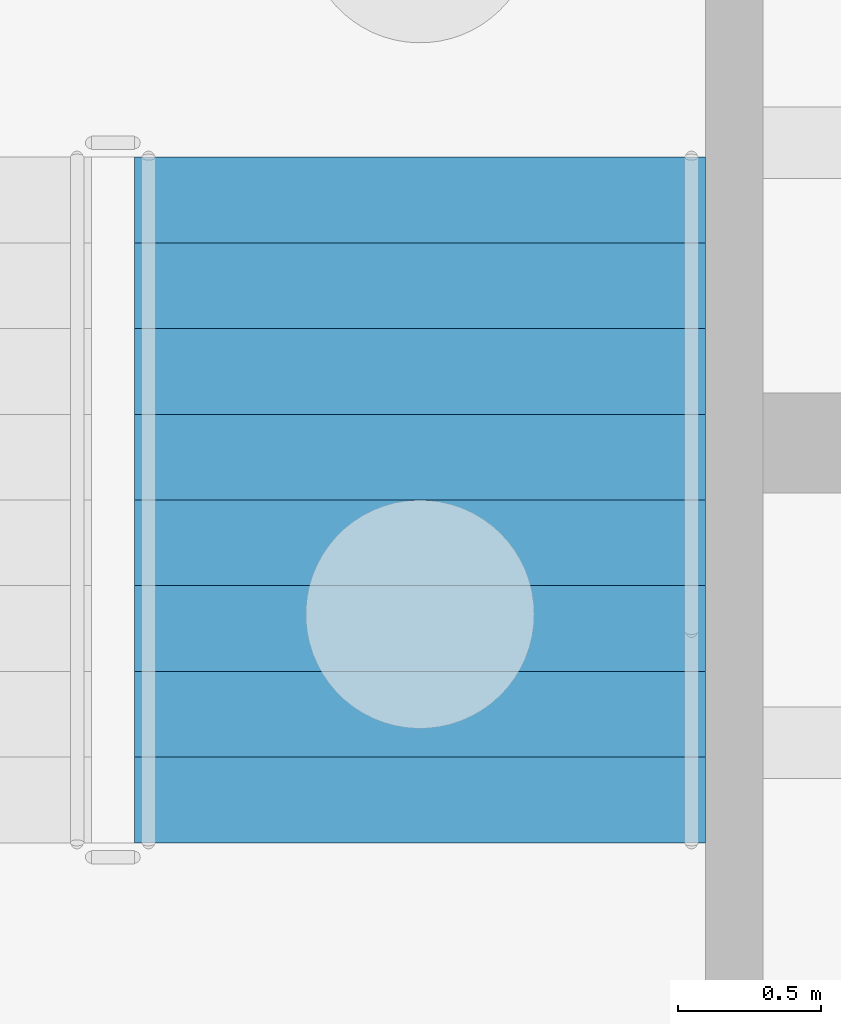
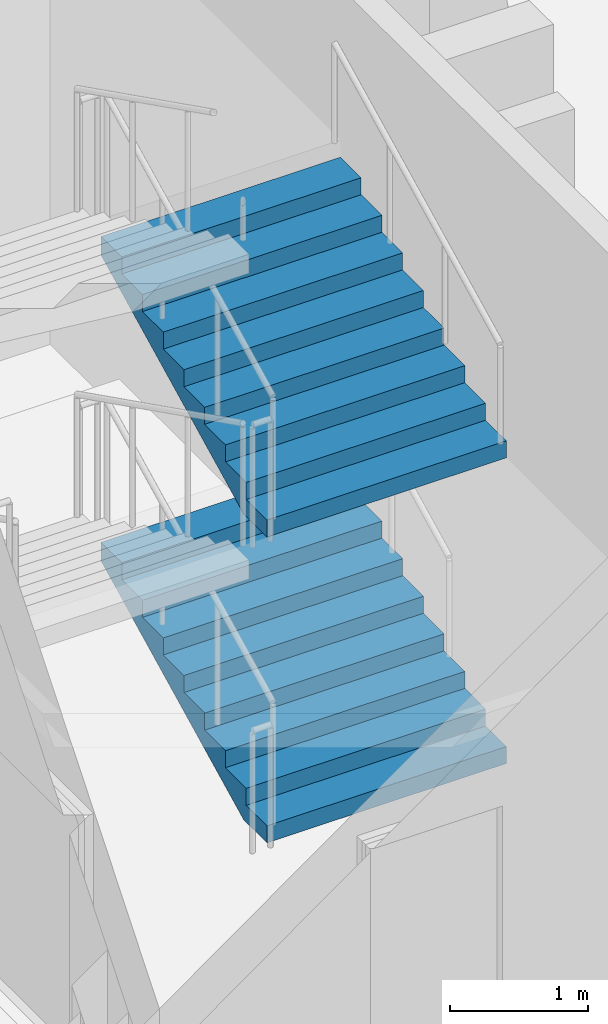
# One storey, part 83 of 129: 2 stair flights, 1 element without a shape of its own.
"""IFC4 building model written with IfcOpenShell, lengths in metres."""

import ifcopenshell
import ifcopenshell.guid

model = None  # the IFC model being written
_history = None  # IfcOwnerHistory: only IFC2X3 demands one
_inside = {}  # id of a spatial element -> (the spatial element, [elements in it])
_under = {}  # id of a project, library or spatial element -> (it, [spatial elements below it])
_declared = {}  # id of a project -> (the project, [libraries it declares])
_typed = {}  # id of a type object -> (the type object, [elements of that type])
_made_of = {}  # id of a material, layer set ... -> (it, [elements and type objects made of it])


def new_model(schema):
    """Start an empty IFC model of exactly this schema.

    Asked for "IFC4X3", IfcOpenShell would pick the latest addendum, in which some entities
    have other attributes; the version numbers below select the first issue.
    IFC2X3 requires an IfcOwnerHistory on every rooted entity: one is made here for all.
    """
    global model, _history
    if schema == "IFC4X3":
        model = ifcopenshell.file(schema_version=(4, 3, 0, 0))
    else:
        model = ifcopenshell.file(schema=schema)
    _inside.clear()
    _under.clear()
    _declared.clear()
    _typed.clear()
    _made_of.clear()
    _history = None
    if model.schema == "IFC2X3":
        org = make("IfcOrganization", Name="unknown")
        user = make(
            "IfcPersonAndOrganization",
            ThePerson=make("IfcPerson", FamilyName="unknown"),
            TheOrganization=org,
        )
        app = make(
            "IfcApplication",
            ApplicationDeveloper=org,
            Version="unknown",
            ApplicationFullName="unknown",
            ApplicationIdentifier="unknown",
        )
        _history = make(
            "IfcOwnerHistory",
            OwningUser=user,
            OwningApplication=app,
            ChangeAction="ADDED",
            CreationDate=0,
        )
    return model


def make(cls, **values):
    """One entity of the class cls with the attributes given. An attribute that is None is left unset."""
    return model.create_entity(
        cls, **{name: value for name, value in values.items() if value is not None}
    )


def rooted(cls, **values):
    """An entity with a GlobalId (a new one), such as an element, a storey or a relation."""
    return make(cls, GlobalId=ifcopenshell.guid.new(), OwnerHistory=_history, **values)


def si_unit(unit_type, name, prefix=None):
    """IfcSIUnit, for example si_unit("LENGTHUNIT", "METRE", prefix="MILLI")."""
    return make("IfcSIUnit", UnitType=unit_type, Prefix=prefix, Name=name)


def assignment(units):
    """IfcUnitAssignment: the units of a project."""
    return None if units is None else make("IfcUnitAssignment", Units=units)


def point(xyz):
    """IfcCartesianPoint."""
    return None if xyz is None else make("IfcCartesianPoint", Coordinates=xyz)


def direction(xyz):
    """IfcDirection."""
    return None if xyz is None else make("IfcDirection", DirectionRatios=xyz)


def frame(location, z_axis=None, x_axis=None):
    """IfcAxis2Placement3D, a coordinate frame: its origin and axes. An axis left out is left unset."""
    return make(
        "IfcAxis2Placement3D",
        Location=point(location),
        Axis=direction(z_axis),
        RefDirection=direction(x_axis),
    )


def origin():
    """The frame at (0, 0, 0) with its axes left unset."""
    return frame((0.0, 0.0, 0.0))


def place(relative_to, where):
    """IfcLocalPlacement: puts the frame where relative to a parent placement (None: the world)."""
    return make(
        "IfcLocalPlacement", PlacementRelTo=relative_to, RelativePlacement=where
    )


def context(
    kind, dimensions, precision=None, world=None, true_north=None, identifier=None
):
    """IfcGeometricRepresentationContext, for example the 3D "Model" context."""
    return make(
        "IfcGeometricRepresentationContext",
        ContextIdentifier=identifier,
        ContextType=kind,
        CoordinateSpaceDimension=dimensions,
        Precision=precision,
        WorldCoordinateSystem=world,
        TrueNorth=true_north,
    )


def subcontext(parent, identifier, kind, view, scale=None):
    """IfcGeometricRepresentationSubContext, for example "Body" below "Model"."""
    return make(
        "IfcGeometricRepresentationSubContext",
        ContextIdentifier=identifier,
        ContextType=kind,
        ParentContext=parent,
        TargetScale=scale,
        TargetView=view,
    )


def project(units=None, contexts=None):
    """IfcProject with its units and contexts."""
    return rooted(
        "IfcProject",
        Name="project",
        RepresentationContexts=contexts,
        UnitsInContext=assignment(units),
    )


def spatial(cls, under=None, at=None, **own):
    """A site, building, storey or space (cls), placed at a placement, below another one or the project."""
    s = rooted(cls, ObjectPlacement=at, **own)
    if under is not None:
        _under.setdefault(under.id(), (under, []))[1].append(s)
    return s


def faces_of(points, faces, orient=None, outer=None):
    """IfcFace entities. A face is a list of loops; a loop is a list of indices into points, from 0.

    orient and outer hold one flag for each loop. By default every Orientation is true, the
    first loop of a face is its IfcFaceOuterBound and the others are IfcFaceBound.
    """
    made = []
    for i, loops in enumerate(faces):
        bounds = []
        for j, loop in enumerate(loops):
            is_outer = j == 0 if outer is None else outer[i][j]
            bounds.append(
                make(
                    "IfcFaceOuterBound" if is_outer else "IfcFaceBound",
                    Bound=make("IfcPolyLoop", Polygon=[points[k] for k in loop]),
                    Orientation=True if orient is None else orient[i][j],
                )
            )
        made.append(make("IfcFace", Bounds=bounds))
    return made


def faceted_brep(points, faces, orient=None, outer=None, voids=None):
    """IfcFacetedBrep: a solid bounded by flat faces; with voids (closed shells), ...WithVoids."""
    shared = [point(p) for p in points]
    hull = make("IfcClosedShell", CfsFaces=faces_of(shared, faces, orient, outer))
    if voids is None:
        return make("IfcFacetedBrep", Outer=hull)
    return make(
        "IfcFacetedBrepWithVoids",
        Outer=hull,
        Voids=[
            make(cls, CfsFaces=faces_of(shared, fs, o, b)) for cls, fs, o, b in voids
        ],
    )


def shape(context_of_items, identifier, shape_type, items):
    """IfcShapeRepresentation: the items that make up one representation, for example the "Body"."""
    return make(
        "IfcShapeRepresentation",
        ContextOfItems=context_of_items,
        RepresentationIdentifier=identifier,
        RepresentationType=shape_type,
        Items=items,
    )


def material(Name=None, Category=None):
    """IfcMaterial."""
    return make("IfcMaterial", Name=Name, Category=Category)


def made_of(thing, what):
    """Note that an element or type object is made of a material, layer set ...; save() writes the relation."""
    if what is not None:
        _made_of.setdefault(what.id(), (what, []))[1].append(thing)
    return thing


def type_object(cls, material=None, **own):
    """A type object (cls), such as IfcWallType, which elements share."""
    return made_of(rooted(cls, **own), material)


def element(
    cls,
    number,
    at=None,
    inside=None,
    cuts=None,
    type_object=None,
    material=None,
    context=None,
    identifier="Body",
    shape_type=None,
    held_by="IfcProductDefinitionShape",
    body=None,
    shapes=None,
    **own,
):
    """One element of the class cls, such as IfcWall. Its Tag is "e" and its number.

    at: its placement. inside: the storey or other place that contains it. cuts: it is an
    opening in that element (IfcRelVoidsElement). A single representation is given by context,
    identifier, shape_type and body (its items); several are given by shapes. held_by: the class
    of the entity that holds the representations. save() writes the other relations.
    """
    e = rooted(cls, Tag="e%d" % number, ObjectPlacement=at, **own)
    if body is not None:
        shapes = [shape(context, identifier, shape_type, body)]
    if shapes is not None:
        e.Representation = make(held_by, Representations=shapes)
    if inside is not None:
        _inside.setdefault(inside.id(), (inside, []))[1].append(e)
    if cuts is not None:
        rooted(
            "IfcRelVoidsElement", RelatingBuildingElement=cuts, RelatedOpeningElement=e
        )
    if type_object is not None:
        _typed.setdefault(type_object.id(), (type_object, []))[1].append(e)
    return made_of(e, material)


def aggregate(whole, parts):
    """IfcRelAggregates: a whole, such as a stair, and the parts it consists of."""
    return rooted("IfcRelAggregates", RelatingObject=whole, RelatedObjects=parts)


def save(model, path):
    """Write the relations noted so far, then the file.

    IfcRelAggregates (storeys below a building ...), IfcRelContainedInSpatialStructure (elements
    in a storey), IfcRelDefinesByType, IfcRelAssociatesMaterial and IfcRelDeclares: one each for
    every whole, place, type object, material and project.
    """
    for whole, parts in _under.values():
        aggregate(whole, parts)
    for where, things in _inside.values():
        rooted(
            "IfcRelContainedInSpatialStructure",
            RelatedElements=things,
            RelatingStructure=where,
        )
    for kind, things in _typed.values():
        rooted("IfcRelDefinesByType", RelatedObjects=things, RelatingType=kind)
    for what, things in _made_of.values():
        rooted("IfcRelAssociatesMaterial", RelatedObjects=things, RelatingMaterial=what)
    for by, libraries in _declared.values():
        rooted("IfcRelDeclares", RelatingContext=by, RelatedDefinitions=libraries)
    model.write(path)


model = new_model("IFC4")

# Units and contexts
model_context = context("Model", 3, precision=1e-05, world=origin(), true_north=direction((0.0, 1.0)))
body_context = subcontext(model_context, "Body", "Model", "MODEL_VIEW")
ifc_project = project(units=[si_unit("LENGTHUNIT", "METRE"), si_unit("AREAUNIT", "SQUARE_METRE"), si_unit("VOLUMEUNIT", "CUBIC_METRE"), si_unit("PLANEANGLEUNIT", "RADIAN"), si_unit("MASSUNIT", "GRAM", prefix="KILO")], contexts=[model_context])

# Site, building, storey
site_placement = place(None, origin())
site = spatial("IfcSite", under=ifc_project, at=site_placement, CompositionType="ELEMENT")
building_placement = place(site_placement, origin())
building = spatial("IfcBuilding", under=site, at=building_placement, Name="Kiln Court Media Centre", CompositionType="ELEMENT")
storey_placement = place(building_placement, origin())
storey = spatial("IfcBuildingStorey", under=building, at=storey_placement, Name="L00", CompositionType="ELEMENT", Elevation=0.0)

# Stair, stair flights
ifc_material_1 = material(Name="Concrete C40/50", Category="concrete")
stair_type = type_object("IfcStairType", Name="Concrete C40/50 dog-leg stair 2000 wide, 150 riser", PredefinedType="HALF_TURN_STAIR", material=ifc_material_1)
stair_placement = place(storey_placement, origin())
stair = element("IfcStair", 1, at=stair_placement, inside=storey, type_object=stair_type, Name="ST-10 L00", PredefinedType="HALF_TURN_STAIR")
ifc_material_2 = material(Name="Concrete C40/50", Category="concrete")
stair_flight_type = type_object("IfcStairFlightType", Name="Concrete C40/50 stair flight 2000 wide, 150 riser, 300 going", PredefinedType="STRAIGHT", material=ifc_material_2)
stair_flight_1_placement = place(storey_placement, frame((99.60009765625, 28.0, 0.0), z_axis=(0.0, 0.0, 1.0), x_axis=(0.0, 1.0, 0.0)))
stair_flight_1 = element("IfcStairFlight", 2, at=stair_flight_1_placement, type_object=stair_flight_type, Name="L00-ST-5009 flight 5036", NumberOfRisers=9, NumberOfTreads=8, PredefinedType="STRAIGHT", RiserHeight=0.15, TreadLength=0.3, context=body_context, shape_type="Brep", body=[
    faceted_brep([(0.335205078125, -1.0, 0.0), (2.39990234375, -1.0, 1.032470703125), (2.39990234375, -1.0, 1.199951171875), (2.10009765625, -1.0, 1.199951171875), (2.10009765625, -1.0, 1.050048828125), (1.800048828125, -1.0, 1.050048828125), (1.800048828125, -1.0, 0.89990234375), (1.5, -1.0, 0.89990234375), (1.5, -1.0, 0.75), (1.199951171875, -1.0, 0.75), (1.199951171875, -1.0, 0.60009765625), (0.89990234375, -1.0, 0.60009765625), (0.89990234375, -1.0, 0.449951171875), (0.60009765625, -1.0, 0.449951171875), (0.60009765625, -1.0, 0.300048828125), (0.300048828125, -1.0, 0.300048828125), (0.300048828125, -1.0, 0.14990234375), (0.0, -1.0, 0.14990234375), (0.0, -1.0, 0.0), (0.0, 1.0, 0.0), (0.0, 1.0, 0.14990234375), (0.300048828125, 1.0, 0.14990234375), (0.300048828125, 1.0, 0.300048828125), (0.60009765625, 1.0, 0.300048828125), (0.60009765625, 1.0, 0.449951171875), (0.89990234375, 1.0, 0.449951171875), (0.89990234375, 1.0, 0.60009765625), (1.199951171875, 1.0, 0.60009765625), (1.199951171875, 1.0, 0.75), (1.5, 1.0, 0.75), (1.5, 1.0, 0.89990234375), (1.800048828125, 1.0, 0.89990234375), (1.800048828125, 1.0, 1.050048828125), (2.10009765625, 1.0, 1.050048828125), (2.10009765625, 1.0, 1.199951171875), (2.39990234375, 1.0, 1.199951171875), (2.39990234375, 1.0, 1.032470703125), (0.335205078125, 1.0, 0.0), (2.39990234375, 0.10009765625, 1.032470703125), (0.335205078125, 0.10009765625, 0.0), (2.39990234375, 0.080078125, 1.032470703125), (0.335205078125, 0.080078125, 0.0), (2.39990234375, 0.06005859375, 1.032470703125), (0.335205078125, 0.06005859375, 0.0), (2.39990234375, 0.0400390625, 1.032470703125), (0.335205078125, 0.0400390625, 0.0), (2.39990234375, 0.02001953125, 1.032470703125), (0.335205078125, 0.02001953125, 0.0), (2.39990234375, 0.0, 1.032470703125), (0.335205078125, 0.0, 0.0), (2.39990234375, -0.02001953125, 1.032470703125), (0.335205078125, -0.02001953125, 0.0), (2.39990234375, -0.0400390625, 1.032470703125), (0.335205078125, -0.0400390625, 0.0), (2.39990234375, -0.06005859375, 1.032470703125), (0.335205078125, -0.06005859375, 0.0), (2.39990234375, -0.080078125, 1.032470703125), (0.335205078125, -0.080078125, 0.0), (2.39990234375, -0.10009765625, 1.032470703125), (0.335205078125, -0.10009765625, 0.0), (2.39990234375, 0.10009765625, 1.199951171875), (2.39990234375, 0.080078125, 1.199951171875), (2.39990234375, 0.06005859375, 1.199951171875), (2.39990234375, 0.0400390625, 1.199951171875), (2.39990234375, 0.02001953125, 1.199951171875), (2.39990234375, 0.0, 1.199951171875), (2.39990234375, -0.02001953125, 1.199951171875), (2.39990234375, -0.0400390625, 1.199951171875), (2.39990234375, -0.06005859375, 1.199951171875), (2.39990234375, -0.080078125, 1.199951171875), (2.39990234375, -0.10009765625, 1.199951171875), (2.10009765625, 0.10009765625, 1.199951171875), (2.10009765625, 0.080078125, 1.199951171875), (2.10009765625, 0.06005859375, 1.199951171875), (2.10009765625, 0.0400390625, 1.199951171875), (2.10009765625, 0.02001953125, 1.199951171875), (2.10009765625, 0.0, 1.199951171875), (2.10009765625, -0.02001953125, 1.199951171875), (2.10009765625, -0.0400390625, 1.199951171875), (2.10009765625, -0.06005859375, 1.199951171875), (2.10009765625, -0.080078125, 1.199951171875), (2.10009765625, -0.10009765625, 1.199951171875), (2.10009765625, 0.10009765625, 1.050048828125), (2.10009765625, 0.080078125, 1.050048828125), (2.10009765625, 0.06005859375, 1.050048828125), (2.10009765625, 0.0400390625, 1.050048828125), (2.10009765625, 0.02001953125, 1.050048828125), (2.10009765625, 0.0, 1.050048828125), (2.10009765625, -0.02001953125, 1.050048828125), (2.10009765625, -0.0400390625, 1.050048828125), (2.10009765625, -0.06005859375, 1.050048828125), (2.10009765625, -0.080078125, 1.050048828125), (2.10009765625, -0.10009765625, 1.050048828125), (1.800048828125, 0.10009765625, 1.050048828125), (1.800048828125, 0.080078125, 1.050048828125), (1.800048828125, 0.06005859375, 1.050048828125), (1.800048828125, 0.0400390625, 1.050048828125), (1.800048828125, 0.02001953125, 1.050048828125), (1.800048828125, 0.0, 1.050048828125), (1.800048828125, -0.02001953125, 1.050048828125), (1.800048828125, -0.0400390625, 1.050048828125), (1.800048828125, -0.06005859375, 1.050048828125), (1.800048828125, -0.080078125, 1.050048828125), (1.800048828125, -0.10009765625, 1.050048828125), (1.800048828125, 0.10009765625, 0.89990234375), (1.800048828125, 0.080078125, 0.89990234375), (1.800048828125, 0.06005859375, 0.89990234375), (1.800048828125, 0.0400390625, 0.89990234375), (1.800048828125, 0.02001953125, 0.89990234375), (1.800048828125, 0.0, 0.89990234375), (1.800048828125, -0.02001953125, 0.89990234375), (1.800048828125, -0.0400390625, 0.89990234375), (1.800048828125, -0.06005859375, 0.89990234375), (1.800048828125, -0.080078125, 0.89990234375), (1.800048828125, -0.10009765625, 0.89990234375), (1.5, 0.10009765625, 0.89990234375), (1.5, 0.080078125, 0.89990234375), (1.5, 0.06005859375, 0.89990234375), (1.5, 0.0400390625, 0.89990234375), (1.5, 0.02001953125, 0.89990234375), (1.5, 0.0, 0.89990234375), (1.5, -0.02001953125, 0.89990234375), (1.5, -0.0400390625, 0.89990234375), (1.5, -0.06005859375, 0.89990234375), (1.5, -0.080078125, 0.89990234375), (1.5, -0.10009765625, 0.89990234375), (1.5, 0.10009765625, 0.75), (1.5, 0.080078125, 0.75), (1.5, 0.06005859375, 0.75), (1.5, 0.0400390625, 0.75), (1.5, 0.02001953125, 0.75), (1.5, 0.0, 0.75), (1.5, -0.02001953125, 0.75), (1.5, -0.0400390625, 0.75), (1.5, -0.06005859375, 0.75), (1.5, -0.080078125, 0.75), (1.5, -0.10009765625, 0.75), (1.199951171875, 0.10009765625, 0.75), (1.199951171875, 0.080078125, 0.75), (1.199951171875, 0.06005859375, 0.75), (1.199951171875, 0.0400390625, 0.75), (1.199951171875, 0.02001953125, 0.75), (1.199951171875, 0.0, 0.75), (1.199951171875, -0.02001953125, 0.75), (1.199951171875, -0.0400390625, 0.75), (1.199951171875, -0.06005859375, 0.75), (1.199951171875, -0.080078125, 0.75), (1.199951171875, -0.10009765625, 0.75), (1.199951171875, 0.10009765625, 0.60009765625), (1.199951171875, 0.080078125, 0.60009765625), (1.199951171875, 0.06005859375, 0.60009765625), (1.199951171875, 0.0400390625, 0.60009765625), (1.199951171875, 0.02001953125, 0.60009765625), (1.199951171875, 0.0, 0.60009765625), (1.199951171875, -0.02001953125, 0.60009765625), (1.199951171875, -0.0400390625, 0.60009765625), (1.199951171875, -0.06005859375, 0.60009765625), (1.199951171875, -0.080078125, 0.60009765625), (1.199951171875, -0.10009765625, 0.60009765625), (0.89990234375, 0.10009765625, 0.60009765625), (0.89990234375, 0.080078125, 0.60009765625), (0.89990234375, 0.06005859375, 0.60009765625), (0.89990234375, 0.0400390625, 0.60009765625), (0.89990234375, 0.02001953125, 0.60009765625), (0.89990234375, 0.0, 0.60009765625), (0.89990234375, -0.02001953125, 0.60009765625), (0.89990234375, -0.0400390625, 0.60009765625), (0.89990234375, -0.06005859375, 0.60009765625), (0.89990234375, -0.080078125, 0.60009765625), (0.89990234375, -0.10009765625, 0.60009765625), (0.89990234375, 0.10009765625, 0.449951171875), (0.89990234375, 0.080078125, 0.449951171875), (0.89990234375, 0.06005859375, 0.449951171875), (0.89990234375, 0.0400390625, 0.449951171875), (0.89990234375, 0.02001953125, 0.449951171875), (0.89990234375, 0.0, 0.449951171875), (0.89990234375, -0.02001953125, 0.449951171875), (0.89990234375, -0.0400390625, 0.449951171875), (0.89990234375, -0.06005859375, 0.449951171875), (0.89990234375, -0.080078125, 0.449951171875), (0.89990234375, -0.10009765625, 0.449951171875), (0.60009765625, 0.10009765625, 0.449951171875), (0.60009765625, 0.080078125, 0.449951171875), (0.60009765625, 0.06005859375, 0.449951171875), (0.60009765625, 0.0400390625, 0.449951171875), (0.60009765625, 0.02001953125, 0.449951171875), (0.60009765625, 0.0, 0.449951171875), (0.60009765625, -0.02001953125, 0.449951171875), (0.60009765625, -0.0400390625, 0.449951171875), (0.60009765625, -0.06005859375, 0.449951171875), (0.60009765625, -0.080078125, 0.449951171875), (0.60009765625, -0.10009765625, 0.449951171875), (0.60009765625, 0.10009765625, 0.300048828125), (0.60009765625, 0.080078125, 0.300048828125), (0.60009765625, 0.06005859375, 0.300048828125), (0.60009765625, 0.0400390625, 0.300048828125), (0.60009765625, 0.02001953125, 0.300048828125), (0.60009765625, 0.0, 0.300048828125), (0.60009765625, -0.02001953125, 0.300048828125), (0.60009765625, -0.0400390625, 0.300048828125), (0.60009765625, -0.06005859375, 0.300048828125), (0.60009765625, -0.080078125, 0.300048828125), (0.60009765625, -0.10009765625, 0.300048828125), (0.300048828125, 0.10009765625, 0.300048828125), (0.300048828125, 0.080078125, 0.300048828125), (0.300048828125, 0.06005859375, 0.300048828125), (0.300048828125, 0.0400390625, 0.300048828125), (0.300048828125, 0.02001953125, 0.300048828125), (0.300048828125, 0.0, 0.300048828125), (0.300048828125, -0.02001953125, 0.300048828125), (0.300048828125, -0.0400390625, 0.300048828125), (0.300048828125, -0.06005859375, 0.300048828125), (0.300048828125, -0.080078125, 0.300048828125), (0.300048828125, -0.10009765625, 0.300048828125), (0.300048828125, 0.10009765625, 0.14990234375), (0.300048828125, 0.080078125, 0.14990234375), (0.300048828125, 0.06005859375, 0.14990234375), (0.300048828125, 0.0400390625, 0.14990234375), (0.300048828125, 0.02001953125, 0.14990234375), (0.300048828125, 0.0, 0.14990234375), (0.300048828125, -0.02001953125, 0.14990234375), (0.300048828125, -0.0400390625, 0.14990234375), (0.300048828125, -0.06005859375, 0.14990234375), (0.300048828125, -0.080078125, 0.14990234375), (0.300048828125, -0.10009765625, 0.14990234375), (0.0, 0.10009765625, 0.14990234375), (0.0, 0.080078125, 0.14990234375), (0.0, 0.06005859375, 0.14990234375), (0.0, 0.0400390625, 0.14990234375), (0.0, 0.02001953125, 0.14990234375), (0.0, 0.0, 0.14990234375), (0.0, -0.02001953125, 0.14990234375), (0.0, -0.0400390625, 0.14990234375), (0.0, -0.06005859375, 0.14990234375), (0.0, -0.080078125, 0.14990234375), (0.0, -0.10009765625, 0.14990234375), (0.0, 0.10009765625, 0.0), (0.0, 0.080078125, 0.0), (0.0, 0.06005859375, 0.0), (0.0, 0.0400390625, 0.0), (0.0, 0.02001953125, 0.0), (0.0, 0.0, 0.0), (0.0, -0.02001953125, 0.0), (0.0, -0.0400390625, 0.0), (0.0, -0.06005859375, 0.0), (0.0, -0.080078125, 0.0), (0.0, -0.10009765625, 0.0)], [[[0, 1, 2, 3, 4, 5, 6, 7, 8, 9, 10, 11, 12, 13, 14, 15, 16, 17, 18]], [[19, 20, 21, 22, 23, 24, 25, 26, 27, 28, 29, 30, 31, 32, 33, 34, 35, 36, 37]], [[37, 36, 38, 39]], [[39, 38, 40, 41]], [[41, 40, 42, 43]], [[43, 42, 44, 45]], [[45, 44, 46, 47]], [[47, 46, 48, 49]], [[49, 48, 50, 51]], [[51, 50, 52, 53]], [[53, 52, 54, 55]], [[55, 54, 56, 57]], [[57, 56, 58, 59]], [[59, 58, 1, 0]], [[36, 35, 60, 38]], [[38, 60, 61, 40]], [[40, 61, 62, 42]], [[42, 62, 63, 44]], [[44, 63, 64, 46]], [[46, 64, 65, 48]], [[48, 65, 66, 50]], [[50, 66, 67, 52]], [[52, 67, 68, 54]], [[54, 68, 69, 56]], [[56, 69, 70, 58]], [[58, 70, 2, 1]], [[35, 34, 71, 60]], [[60, 71, 72, 61]], [[61, 72, 73, 62]], [[62, 73, 74, 63]], [[63, 74, 75, 64]], [[64, 75, 76, 65]], [[65, 76, 77, 66]], [[66, 77, 78, 67]], [[67, 78, 79, 68]], [[68, 79, 80, 69]], [[69, 80, 81, 70]], [[70, 81, 3, 2]], [[34, 33, 82, 71]], [[71, 82, 83, 72]], [[72, 83, 84, 73]], [[73, 84, 85, 74]], [[74, 85, 86, 75]], [[75, 86, 87, 76]], [[76, 87, 88, 77]], [[77, 88, 89, 78]], [[78, 89, 90, 79]], [[79, 90, 91, 80]], [[80, 91, 92, 81]], [[81, 92, 4, 3]], [[33, 32, 93, 82]], [[82, 93, 94, 83]], [[83, 94, 95, 84]], [[84, 95, 96, 85]], [[85, 96, 97, 86]], [[86, 97, 98, 87]], [[87, 98, 99, 88]], [[88, 99, 100, 89]], [[89, 100, 101, 90]], [[90, 101, 102, 91]], [[91, 102, 103, 92]], [[92, 103, 5, 4]], [[32, 31, 104, 93]], [[93, 104, 105, 94]], [[94, 105, 106, 95]], [[95, 106, 107, 96]], [[96, 107, 108, 97]], [[97, 108, 109, 98]], [[98, 109, 110, 99]], [[99, 110, 111, 100]], [[100, 111, 112, 101]], [[101, 112, 113, 102]], [[102, 113, 114, 103]], [[103, 114, 6, 5]], [[31, 30, 115, 104]], [[104, 115, 116, 105]], [[105, 116, 117, 106]], [[106, 117, 118, 107]], [[107, 118, 119, 108]], [[108, 119, 120, 109]], [[109, 120, 121, 110]], [[110, 121, 122, 111]], [[111, 122, 123, 112]], [[112, 123, 124, 113]], [[113, 124, 125, 114]], [[114, 125, 7, 6]], [[30, 29, 126, 115]], [[115, 126, 127, 116]], [[116, 127, 128, 117]], [[117, 128, 129, 118]], [[118, 129, 130, 119]], [[119, 130, 131, 120]], [[120, 131, 132, 121]], [[121, 132, 133, 122]], [[122, 133, 134, 123]], [[123, 134, 135, 124]], [[124, 135, 136, 125]], [[125, 136, 8, 7]], [[29, 28, 137, 126]], [[126, 137, 138, 127]], [[127, 138, 139, 128]], [[128, 139, 140, 129]], [[129, 140, 141, 130]], [[130, 141, 142, 131]], [[131, 142, 143, 132]], [[132, 143, 144, 133]], [[133, 144, 145, 134]], [[134, 145, 146, 135]], [[135, 146, 147, 136]], [[136, 147, 9, 8]], [[28, 27, 148, 137]], [[137, 148, 149, 138]], [[138, 149, 150, 139]], [[139, 150, 151, 140]], [[140, 151, 152, 141]], [[141, 152, 153, 142]], [[142, 153, 154, 143]], [[143, 154, 155, 144]], [[144, 155, 156, 145]], [[145, 156, 157, 146]], [[146, 157, 158, 147]], [[147, 158, 10, 9]], [[27, 26, 159, 148]], [[148, 159, 160, 149]], [[149, 160, 161, 150]], [[150, 161, 162, 151]], [[151, 162, 163, 152]], [[152, 163, 164, 153]], [[153, 164, 165, 154]], [[154, 165, 166, 155]], [[155, 166, 167, 156]], [[156, 167, 168, 157]], [[157, 168, 169, 158]], [[158, 169, 11, 10]], [[26, 25, 170, 159]], [[159, 170, 171, 160]], [[160, 171, 172, 161]], [[161, 172, 173, 162]], [[162, 173, 174, 163]], [[163, 174, 175, 164]], [[164, 175, 176, 165]], [[165, 176, 177, 166]], [[166, 177, 178, 167]], [[167, 178, 179, 168]], [[168, 179, 180, 169]], [[169, 180, 12, 11]], [[25, 24, 181, 170]], [[170, 181, 182, 171]], [[171, 182, 183, 172]], [[172, 183, 184, 173]], [[173, 184, 185, 174]], [[174, 185, 186, 175]], [[175, 186, 187, 176]], [[176, 187, 188, 177]], [[177, 188, 189, 178]], [[178, 189, 190, 179]], [[179, 190, 191, 180]], [[180, 191, 13, 12]], [[24, 23, 192, 181]], [[181, 192, 193, 182]], [[182, 193, 194, 183]], [[183, 194, 195, 184]], [[184, 195, 196, 185]], [[185, 196, 197, 186]], [[186, 197, 198, 187]], [[187, 198, 199, 188]], [[188, 199, 200, 189]], [[189, 200, 201, 190]], [[190, 201, 202, 191]], [[191, 202, 14, 13]], [[23, 22, 203, 192]], [[192, 203, 204, 193]], [[193, 204, 205, 194]], [[194, 205, 206, 195]], [[195, 206, 207, 196]], [[196, 207, 208, 197]], [[197, 208, 209, 198]], [[198, 209, 210, 199]], [[199, 210, 211, 200]], [[200, 211, 212, 201]], [[201, 212, 213, 202]], [[202, 213, 15, 14]], [[22, 21, 214, 203]], [[203, 214, 215, 204]], [[204, 215, 216, 205]], [[205, 216, 217, 206]], [[206, 217, 218, 207]], [[207, 218, 219, 208]], [[208, 219, 220, 209]], [[209, 220, 221, 210]], [[210, 221, 222, 211]], [[211, 222, 223, 212]], [[212, 223, 224, 213]], [[213, 224, 16, 15]], [[21, 20, 225, 214]], [[214, 225, 226, 215]], [[215, 226, 227, 216]], [[216, 227, 228, 217]], [[217, 228, 229, 218]], [[218, 229, 230, 219]], [[219, 230, 231, 220]], [[220, 231, 232, 221]], [[221, 232, 233, 222]], [[222, 233, 234, 223]], [[223, 234, 235, 224]], [[224, 235, 17, 16]], [[20, 19, 236, 225]], [[225, 236, 237, 226]], [[226, 237, 238, 227]], [[227, 238, 239, 228]], [[228, 239, 240, 229]], [[229, 240, 241, 230]], [[230, 241, 242, 231]], [[231, 242, 243, 232]], [[232, 243, 244, 233]], [[233, 244, 245, 234]], [[234, 245, 246, 235]], [[235, 246, 18, 17]], [[19, 37, 39, 236]], [[236, 39, 41, 237]], [[237, 41, 43, 238]], [[238, 43, 45, 239]], [[239, 45, 47, 240]], [[240, 47, 49, 241]], [[241, 49, 51, 242]], [[242, 51, 53, 243]], [[243, 53, 55, 244]], [[244, 55, 57, 245]], [[245, 57, 59, 246]], [[246, 59, 0, 18]]]),
])
stair_flight_2_placement = place(storey_placement, frame((99.60009765625, 28.0, 2.699951171875), z_axis=(0.0, 0.0, 1.0), x_axis=(0.0, 1.0, 0.0)))
stair_flight_2 = element("IfcStairFlight", 3, at=stair_flight_2_placement, type_object=stair_flight_type, Name="L00-ST-5009 flight 5038", NumberOfRisers=9, NumberOfTreads=8, PredefinedType="STRAIGHT", RiserHeight=0.15, TreadLength=0.3, context=body_context, shape_type="Brep", body=[
    faceted_brep([(0.335205078125, -1.0, 0.0), (2.39990234375, -1.0, 1.032470703125), (2.39990234375, -1.0, 1.199951171875), (2.10009765625, -1.0, 1.199951171875), (2.10009765625, -1.0, 1.050048828125), (1.800048828125, -1.0, 1.050048828125), (1.800048828125, -1.0, 0.89990234375), (1.5, -1.0, 0.89990234375), (1.5, -1.0, 0.75), (1.199951171875, -1.0, 0.75), (1.199951171875, -1.0, 0.60009765625), (0.89990234375, -1.0, 0.60009765625), (0.89990234375, -1.0, 0.449951171875), (0.60009765625, -1.0, 0.449951171875), (0.60009765625, -1.0, 0.300048828125), (0.300048828125, -1.0, 0.300048828125), (0.300048828125, -1.0, 0.14990234375), (0.0, -1.0, 0.14990234375), (0.0, -1.0, 0.0), (0.0, 1.0, 0.0), (0.0, 1.0, 0.14990234375), (0.300048828125, 1.0, 0.14990234375), (0.300048828125, 1.0, 0.300048828125), (0.60009765625, 1.0, 0.300048828125), (0.60009765625, 1.0, 0.449951171875), (0.89990234375, 1.0, 0.449951171875), (0.89990234375, 1.0, 0.60009765625), (1.199951171875, 1.0, 0.60009765625), (1.199951171875, 1.0, 0.75), (1.5, 1.0, 0.75), (1.5, 1.0, 0.89990234375), (1.800048828125, 1.0, 0.89990234375), (1.800048828125, 1.0, 1.050048828125), (2.10009765625, 1.0, 1.050048828125), (2.10009765625, 1.0, 1.199951171875), (2.39990234375, 1.0, 1.199951171875), (2.39990234375, 1.0, 1.032470703125), (0.335205078125, 1.0, 0.0), (2.39990234375, 0.10009765625, 1.032470703125), (0.335205078125, 0.10009765625, 0.0), (2.39990234375, 0.080078125, 1.032470703125), (0.335205078125, 0.080078125, 0.0), (2.39990234375, 0.06005859375, 1.032470703125), (0.335205078125, 0.06005859375, 0.0), (2.39990234375, 0.0400390625, 1.032470703125), (0.335205078125, 0.0400390625, 0.0), (2.39990234375, 0.02001953125, 1.032470703125), (0.335205078125, 0.02001953125, 0.0), (2.39990234375, 0.0, 1.032470703125), (0.335205078125, 0.0, 0.0), (2.39990234375, -0.02001953125, 1.032470703125), (0.335205078125, -0.02001953125, 0.0), (2.39990234375, -0.0400390625, 1.032470703125), (0.335205078125, -0.0400390625, 0.0), (2.39990234375, -0.06005859375, 1.032470703125), (0.335205078125, -0.06005859375, 0.0), (2.39990234375, -0.080078125, 1.032470703125), (0.335205078125, -0.080078125, 0.0), (2.39990234375, -0.10009765625, 1.032470703125), (0.335205078125, -0.10009765625, 0.0), (2.39990234375, 0.10009765625, 1.199951171875), (2.39990234375, 0.080078125, 1.199951171875), (2.39990234375, 0.06005859375, 1.199951171875), (2.39990234375, 0.0400390625, 1.199951171875), (2.39990234375, 0.02001953125, 1.199951171875), (2.39990234375, 0.0, 1.199951171875), (2.39990234375, -0.02001953125, 1.199951171875), (2.39990234375, -0.0400390625, 1.199951171875), (2.39990234375, -0.06005859375, 1.199951171875), (2.39990234375, -0.080078125, 1.199951171875), (2.39990234375, -0.10009765625, 1.199951171875), (2.10009765625, 0.10009765625, 1.199951171875), (2.10009765625, 0.080078125, 1.199951171875), (2.10009765625, 0.06005859375, 1.199951171875), (2.10009765625, 0.0400390625, 1.199951171875), (2.10009765625, 0.02001953125, 1.199951171875), (2.10009765625, 0.0, 1.199951171875), (2.10009765625, -0.02001953125, 1.199951171875), (2.10009765625, -0.0400390625, 1.199951171875), (2.10009765625, -0.06005859375, 1.199951171875), (2.10009765625, -0.080078125, 1.199951171875), (2.10009765625, -0.10009765625, 1.199951171875), (2.10009765625, 0.10009765625, 1.050048828125), (2.10009765625, 0.080078125, 1.050048828125), (2.10009765625, 0.06005859375, 1.050048828125), (2.10009765625, 0.0400390625, 1.050048828125), (2.10009765625, 0.02001953125, 1.050048828125), (2.10009765625, 0.0, 1.050048828125), (2.10009765625, -0.02001953125, 1.050048828125), (2.10009765625, -0.0400390625, 1.050048828125), (2.10009765625, -0.06005859375, 1.050048828125), (2.10009765625, -0.080078125, 1.050048828125), (2.10009765625, -0.10009765625, 1.050048828125), (1.800048828125, 0.10009765625, 1.050048828125), (1.800048828125, 0.080078125, 1.050048828125), (1.800048828125, 0.06005859375, 1.050048828125), (1.800048828125, 0.0400390625, 1.050048828125), (1.800048828125, 0.02001953125, 1.050048828125), (1.800048828125, 0.0, 1.050048828125), (1.800048828125, -0.02001953125, 1.050048828125), (1.800048828125, -0.0400390625, 1.050048828125), (1.800048828125, -0.06005859375, 1.050048828125), (1.800048828125, -0.080078125, 1.050048828125), (1.800048828125, -0.10009765625, 1.050048828125), (1.800048828125, 0.10009765625, 0.89990234375), (1.800048828125, 0.080078125, 0.89990234375), (1.800048828125, 0.06005859375, 0.89990234375), (1.800048828125, 0.0400390625, 0.89990234375), (1.800048828125, 0.02001953125, 0.89990234375), (1.800048828125, 0.0, 0.89990234375), (1.800048828125, -0.02001953125, 0.89990234375), (1.800048828125, -0.0400390625, 0.89990234375), (1.800048828125, -0.06005859375, 0.89990234375), (1.800048828125, -0.080078125, 0.89990234375), (1.800048828125, -0.10009765625, 0.89990234375), (1.5, 0.10009765625, 0.89990234375), (1.5, 0.080078125, 0.89990234375), (1.5, 0.06005859375, 0.89990234375), (1.5, 0.0400390625, 0.89990234375), (1.5, 0.02001953125, 0.89990234375), (1.5, 0.0, 0.89990234375), (1.5, -0.02001953125, 0.89990234375), (1.5, -0.0400390625, 0.89990234375), (1.5, -0.06005859375, 0.89990234375), (1.5, -0.080078125, 0.89990234375), (1.5, -0.10009765625, 0.89990234375), (1.5, 0.10009765625, 0.75), (1.5, 0.080078125, 0.75), (1.5, 0.06005859375, 0.75), (1.5, 0.0400390625, 0.75), (1.5, 0.02001953125, 0.75), (1.5, 0.0, 0.75), (1.5, -0.02001953125, 0.75), (1.5, -0.0400390625, 0.75), (1.5, -0.06005859375, 0.75), (1.5, -0.080078125, 0.75), (1.5, -0.10009765625, 0.75), (1.199951171875, 0.10009765625, 0.75), (1.199951171875, 0.080078125, 0.75), (1.199951171875, 0.06005859375, 0.75), (1.199951171875, 0.0400390625, 0.75), (1.199951171875, 0.02001953125, 0.75), (1.199951171875, 0.0, 0.75), (1.199951171875, -0.02001953125, 0.75), (1.199951171875, -0.0400390625, 0.75), (1.199951171875, -0.06005859375, 0.75), (1.199951171875, -0.080078125, 0.75), (1.199951171875, -0.10009765625, 0.75), (1.199951171875, 0.10009765625, 0.60009765625), (1.199951171875, 0.080078125, 0.60009765625), (1.199951171875, 0.06005859375, 0.60009765625), (1.199951171875, 0.0400390625, 0.60009765625), (1.199951171875, 0.02001953125, 0.60009765625), (1.199951171875, 0.0, 0.60009765625), (1.199951171875, -0.02001953125, 0.60009765625), (1.199951171875, -0.0400390625, 0.60009765625), (1.199951171875, -0.06005859375, 0.60009765625), (1.199951171875, -0.080078125, 0.60009765625), (1.199951171875, -0.10009765625, 0.60009765625), (0.89990234375, 0.10009765625, 0.60009765625), (0.89990234375, 0.080078125, 0.60009765625), (0.89990234375, 0.06005859375, 0.60009765625), (0.89990234375, 0.0400390625, 0.60009765625), (0.89990234375, 0.02001953125, 0.60009765625), (0.89990234375, 0.0, 0.60009765625), (0.89990234375, -0.02001953125, 0.60009765625), (0.89990234375, -0.0400390625, 0.60009765625), (0.89990234375, -0.06005859375, 0.60009765625), (0.89990234375, -0.080078125, 0.60009765625), (0.89990234375, -0.10009765625, 0.60009765625), (0.89990234375, 0.10009765625, 0.449951171875), (0.89990234375, 0.080078125, 0.449951171875), (0.89990234375, 0.06005859375, 0.449951171875), (0.89990234375, 0.0400390625, 0.449951171875), (0.89990234375, 0.02001953125, 0.449951171875), (0.89990234375, 0.0, 0.449951171875), (0.89990234375, -0.02001953125, 0.449951171875), (0.89990234375, -0.0400390625, 0.449951171875), (0.89990234375, -0.06005859375, 0.449951171875), (0.89990234375, -0.080078125, 0.449951171875), (0.89990234375, -0.10009765625, 0.449951171875), (0.60009765625, 0.10009765625, 0.449951171875), (0.60009765625, 0.080078125, 0.449951171875), (0.60009765625, 0.06005859375, 0.449951171875), (0.60009765625, 0.0400390625, 0.449951171875), (0.60009765625, 0.02001953125, 0.449951171875), (0.60009765625, 0.0, 0.449951171875), (0.60009765625, -0.02001953125, 0.449951171875), (0.60009765625, -0.0400390625, 0.449951171875), (0.60009765625, -0.06005859375, 0.449951171875), (0.60009765625, -0.080078125, 0.449951171875), (0.60009765625, -0.10009765625, 0.449951171875), (0.60009765625, 0.10009765625, 0.300048828125), (0.60009765625, 0.080078125, 0.300048828125), (0.60009765625, 0.06005859375, 0.300048828125), (0.60009765625, 0.0400390625, 0.300048828125), (0.60009765625, 0.02001953125, 0.300048828125), (0.60009765625, 0.0, 0.300048828125), (0.60009765625, -0.02001953125, 0.300048828125), (0.60009765625, -0.0400390625, 0.300048828125), (0.60009765625, -0.06005859375, 0.300048828125), (0.60009765625, -0.080078125, 0.300048828125), (0.60009765625, -0.10009765625, 0.300048828125), (0.300048828125, 0.10009765625, 0.300048828125), (0.300048828125, 0.080078125, 0.300048828125), (0.300048828125, 0.06005859375, 0.300048828125), (0.300048828125, 0.0400390625, 0.300048828125), (0.300048828125, 0.02001953125, 0.300048828125), (0.300048828125, 0.0, 0.300048828125), (0.300048828125, -0.02001953125, 0.300048828125), (0.300048828125, -0.0400390625, 0.300048828125), (0.300048828125, -0.06005859375, 0.300048828125), (0.300048828125, -0.080078125, 0.300048828125), (0.300048828125, -0.10009765625, 0.300048828125), (0.300048828125, 0.10009765625, 0.14990234375), (0.300048828125, 0.080078125, 0.14990234375), (0.300048828125, 0.06005859375, 0.14990234375), (0.300048828125, 0.0400390625, 0.14990234375), (0.300048828125, 0.02001953125, 0.14990234375), (0.300048828125, 0.0, 0.14990234375), (0.300048828125, -0.02001953125, 0.14990234375), (0.300048828125, -0.0400390625, 0.14990234375), (0.300048828125, -0.06005859375, 0.14990234375), (0.300048828125, -0.080078125, 0.14990234375), (0.300048828125, -0.10009765625, 0.14990234375), (0.0, 0.10009765625, 0.14990234375), (0.0, 0.080078125, 0.14990234375), (0.0, 0.06005859375, 0.14990234375), (0.0, 0.0400390625, 0.14990234375), (0.0, 0.02001953125, 0.14990234375), (0.0, 0.0, 0.14990234375), (0.0, -0.02001953125, 0.14990234375), (0.0, -0.0400390625, 0.14990234375), (0.0, -0.06005859375, 0.14990234375), (0.0, -0.080078125, 0.14990234375), (0.0, -0.10009765625, 0.14990234375), (0.0, 0.10009765625, 0.0), (0.0, 0.080078125, 0.0), (0.0, 0.06005859375, 0.0), (0.0, 0.0400390625, 0.0), (0.0, 0.02001953125, 0.0), (0.0, 0.0, 0.0), (0.0, -0.02001953125, 0.0), (0.0, -0.0400390625, 0.0), (0.0, -0.06005859375, 0.0), (0.0, -0.080078125, 0.0), (0.0, -0.10009765625, 0.0)], [[[0, 1, 2, 3, 4, 5, 6, 7, 8, 9, 10, 11, 12, 13, 14, 15, 16, 17, 18]], [[19, 20, 21, 22, 23, 24, 25, 26, 27, 28, 29, 30, 31, 32, 33, 34, 35, 36, 37]], [[37, 36, 38, 39]], [[39, 38, 40, 41]], [[41, 40, 42, 43]], [[43, 42, 44, 45]], [[45, 44, 46, 47]], [[47, 46, 48, 49]], [[49, 48, 50, 51]], [[51, 50, 52, 53]], [[53, 52, 54, 55]], [[55, 54, 56, 57]], [[57, 56, 58, 59]], [[59, 58, 1, 0]], [[36, 35, 60, 38]], [[38, 60, 61, 40]], [[40, 61, 62, 42]], [[42, 62, 63, 44]], [[44, 63, 64, 46]], [[46, 64, 65, 48]], [[48, 65, 66, 50]], [[50, 66, 67, 52]], [[52, 67, 68, 54]], [[54, 68, 69, 56]], [[56, 69, 70, 58]], [[58, 70, 2, 1]], [[35, 34, 71, 60]], [[60, 71, 72, 61]], [[61, 72, 73, 62]], [[62, 73, 74, 63]], [[63, 74, 75, 64]], [[64, 75, 76, 65]], [[65, 76, 77, 66]], [[66, 77, 78, 67]], [[67, 78, 79, 68]], [[68, 79, 80, 69]], [[69, 80, 81, 70]], [[70, 81, 3, 2]], [[34, 33, 82, 71]], [[71, 82, 83, 72]], [[72, 83, 84, 73]], [[73, 84, 85, 74]], [[74, 85, 86, 75]], [[75, 86, 87, 76]], [[76, 87, 88, 77]], [[77, 88, 89, 78]], [[78, 89, 90, 79]], [[79, 90, 91, 80]], [[80, 91, 92, 81]], [[81, 92, 4, 3]], [[33, 32, 93, 82]], [[82, 93, 94, 83]], [[83, 94, 95, 84]], [[84, 95, 96, 85]], [[85, 96, 97, 86]], [[86, 97, 98, 87]], [[87, 98, 99, 88]], [[88, 99, 100, 89]], [[89, 100, 101, 90]], [[90, 101, 102, 91]], [[91, 102, 103, 92]], [[92, 103, 5, 4]], [[32, 31, 104, 93]], [[93, 104, 105, 94]], [[94, 105, 106, 95]], [[95, 106, 107, 96]], [[96, 107, 108, 97]], [[97, 108, 109, 98]], [[98, 109, 110, 99]], [[99, 110, 111, 100]], [[100, 111, 112, 101]], [[101, 112, 113, 102]], [[102, 113, 114, 103]], [[103, 114, 6, 5]], [[31, 30, 115, 104]], [[104, 115, 116, 105]], [[105, 116, 117, 106]], [[106, 117, 118, 107]], [[107, 118, 119, 108]], [[108, 119, 120, 109]], [[109, 120, 121, 110]], [[110, 121, 122, 111]], [[111, 122, 123, 112]], [[112, 123, 124, 113]], [[113, 124, 125, 114]], [[114, 125, 7, 6]], [[30, 29, 126, 115]], [[115, 126, 127, 116]], [[116, 127, 128, 117]], [[117, 128, 129, 118]], [[118, 129, 130, 119]], [[119, 130, 131, 120]], [[120, 131, 132, 121]], [[121, 132, 133, 122]], [[122, 133, 134, 123]], [[123, 134, 135, 124]], [[124, 135, 136, 125]], [[125, 136, 8, 7]], [[29, 28, 137, 126]], [[126, 137, 138, 127]], [[127, 138, 139, 128]], [[128, 139, 140, 129]], [[129, 140, 141, 130]], [[130, 141, 142, 131]], [[131, 142, 143, 132]], [[132, 143, 144, 133]], [[133, 144, 145, 134]], [[134, 145, 146, 135]], [[135, 146, 147, 136]], [[136, 147, 9, 8]], [[28, 27, 148, 137]], [[137, 148, 149, 138]], [[138, 149, 150, 139]], [[139, 150, 151, 140]], [[140, 151, 152, 141]], [[141, 152, 153, 142]], [[142, 153, 154, 143]], [[143, 154, 155, 144]], [[144, 155, 156, 145]], [[145, 156, 157, 146]], [[146, 157, 158, 147]], [[147, 158, 10, 9]], [[27, 26, 159, 148]], [[148, 159, 160, 149]], [[149, 160, 161, 150]], [[150, 161, 162, 151]], [[151, 162, 163, 152]], [[152, 163, 164, 153]], [[153, 164, 165, 154]], [[154, 165, 166, 155]], [[155, 166, 167, 156]], [[156, 167, 168, 157]], [[157, 168, 169, 158]], [[158, 169, 11, 10]], [[26, 25, 170, 159]], [[159, 170, 171, 160]], [[160, 171, 172, 161]], [[161, 172, 173, 162]], [[162, 173, 174, 163]], [[163, 174, 175, 164]], [[164, 175, 176, 165]], [[165, 176, 177, 166]], [[166, 177, 178, 167]], [[167, 178, 179, 168]], [[168, 179, 180, 169]], [[169, 180, 12, 11]], [[25, 24, 181, 170]], [[170, 181, 182, 171]], [[171, 182, 183, 172]], [[172, 183, 184, 173]], [[173, 184, 185, 174]], [[174, 185, 186, 175]], [[175, 186, 187, 176]], [[176, 187, 188, 177]], [[177, 188, 189, 178]], [[178, 189, 190, 179]], [[179, 190, 191, 180]], [[180, 191, 13, 12]], [[24, 23, 192, 181]], [[181, 192, 193, 182]], [[182, 193, 194, 183]], [[183, 194, 195, 184]], [[184, 195, 196, 185]], [[185, 196, 197, 186]], [[186, 197, 198, 187]], [[187, 198, 199, 188]], [[188, 199, 200, 189]], [[189, 200, 201, 190]], [[190, 201, 202, 191]], [[191, 202, 14, 13]], [[23, 22, 203, 192]], [[192, 203, 204, 193]], [[193, 204, 205, 194]], [[194, 205, 206, 195]], [[195, 206, 207, 196]], [[196, 207, 208, 197]], [[197, 208, 209, 198]], [[198, 209, 210, 199]], [[199, 210, 211, 200]], [[200, 211, 212, 201]], [[201, 212, 213, 202]], [[202, 213, 15, 14]], [[22, 21, 214, 203]], [[203, 214, 215, 204]], [[204, 215, 216, 205]], [[205, 216, 217, 206]], [[206, 217, 218, 207]], [[207, 218, 219, 208]], [[208, 219, 220, 209]], [[209, 220, 221, 210]], [[210, 221, 222, 211]], [[211, 222, 223, 212]], [[212, 223, 224, 213]], [[213, 224, 16, 15]], [[21, 20, 225, 214]], [[214, 225, 226, 215]], [[215, 226, 227, 216]], [[216, 227, 228, 217]], [[217, 228, 229, 218]], [[218, 229, 230, 219]], [[219, 230, 231, 220]], [[220, 231, 232, 221]], [[221, 232, 233, 222]], [[222, 233, 234, 223]], [[223, 234, 235, 224]], [[224, 235, 17, 16]], [[20, 19, 236, 225]], [[225, 236, 237, 226]], [[226, 237, 238, 227]], [[227, 238, 239, 228]], [[228, 239, 240, 229]], [[229, 240, 241, 230]], [[230, 241, 242, 231]], [[231, 242, 243, 232]], [[232, 243, 244, 233]], [[233, 244, 245, 234]], [[234, 245, 246, 235]], [[235, 246, 18, 17]], [[19, 37, 39, 236]], [[236, 39, 41, 237]], [[237, 41, 43, 238]], [[238, 43, 45, 239]], [[239, 45, 47, 240]], [[240, 47, 49, 241]], [[241, 49, 51, 242]], [[242, 51, 53, 243]], [[243, 53, 55, 244]], [[244, 55, 57, 245]], [[245, 57, 59, 246]], [[246, 59, 0, 18]]]),
])
aggregate(stair, [stair_flight_1, stair_flight_2])

save(model, "model.ifc")
